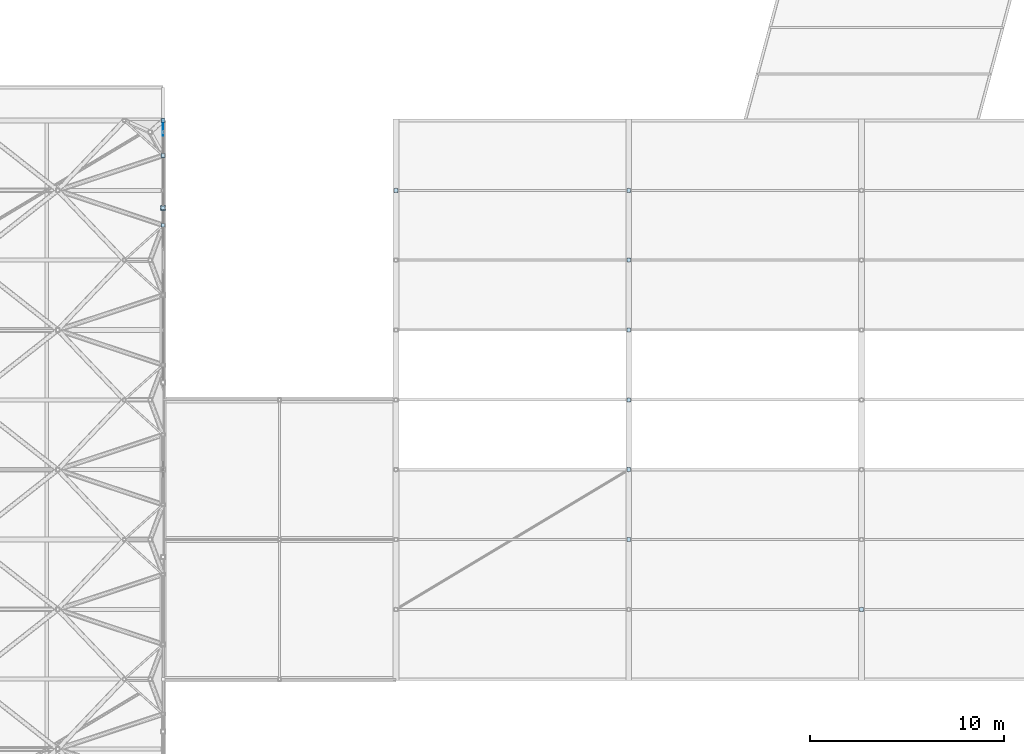
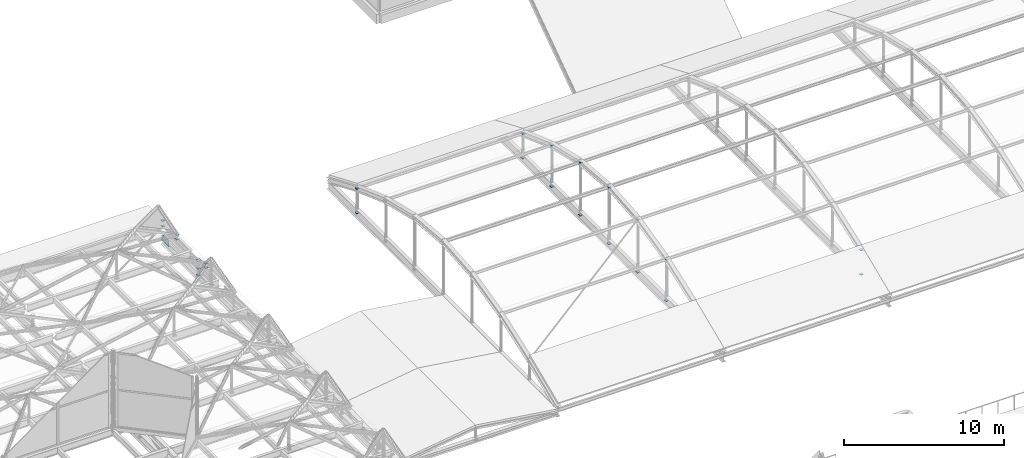
# One storey, part 224 of 239: 27 plates.
"""IFC4 building model written with IfcOpenShell, lengths in metres."""

from ifc_helpers import new_model, si_unit, direction, frame, origin, origin_2d, place, context, subcontext, project, spatial, rectangle, extrude, material, layer, layer_set, type_object, element, save


model = new_model("IFC4")

# Units and contexts
model_context = context("Model", 3, precision=1e-05, world=origin(), true_north=direction((0.0, 1.0)))
body_context = subcontext(model_context, "Body", "Model", "MODEL_VIEW")
ifc_project = project(units=[si_unit("LENGTHUNIT", "METRE"), si_unit("AREAUNIT", "SQUARE_METRE"), si_unit("VOLUMEUNIT", "CUBIC_METRE"), si_unit("PLANEANGLEUNIT", "RADIAN"), si_unit("MASSUNIT", "GRAM", prefix="KILO")], contexts=[model_context])

# Site, building, storey
site_placement = place(None, origin())
site = spatial("IfcSite", under=ifc_project, at=site_placement, CompositionType="ELEMENT")
building_placement = place(site_placement, origin())
building = spatial("IfcBuilding", under=site, at=building_placement, Name="Dunvalen Ferry Terminal", CompositionType="ELEMENT")
storey_placement = place(building_placement, frame((0.0, 0.0, 9.840087890625)))
storey = spatial("IfcBuildingStorey", under=building, at=storey_placement, Name="L02", CompositionType="ELEMENT", Elevation=9.840087890625)

# Plates
ifc_material = material(Name="Steel S355", Category="steel")
ifc_layer_1 = layer(ifc_material, 0.02001953125, Name="Steel S355")
ifc_layer_set_1 = layer_set([ifc_layer_1], Name="Steel S355")
plate_type_1 = type_object("IfcPlateType", Name="STR-PL-GUSSET-01", PredefinedType="USERDEFINED", material=ifc_layer_set_1)
plate_1_placement = place(storey_placement, frame((96.0, 81.89990234375, 0.760009765625), z_axis=(0.0, 0.0, 1.0), x_axis=(1.0, 0.0, 0.0)))
element("IfcPlate", 1, at=plate_1_placement, inside=storey, type_object=plate_type_1, Name="Departure Hall Spandrel Strut Cap Plate 08.7", ObjectType="GUSSET PLATE", PredefinedType="USERDEFINED", context=body_context, shape_type="SweptSolid", body=[
    extrude(rectangle(XDim=0.260009765625, YDim=0.260009765625, at=origin_2d()), origin(), (0.0, 0.0, 1.0), 0.02001953125),
])
plate_2_placement = place(storey_placement, frame((96.0, 86.39990234375, 0.64990234375), z_axis=(0.0, 0.0, 1.0), x_axis=(1.0, 0.0, 0.0)))
element("IfcPlate", 2, at=plate_2_placement, inside=storey, type_object=plate_type_1, Name="Departure Hall Wind Brace End Cap Plate 7.79.2", ObjectType="GUSSET PLATE", PredefinedType="USERDEFINED", context=body_context, shape_type="SweptSolid", body=[
    extrude(rectangle(XDim=0.179931640625, YDim=0.179931640625, at=origin_2d()), origin(), (0.0, 0.0, 1.0), 0.02001953125),
])
for number, where, z_axis, x_axis, name in (
    (3, (96.0, 81.89990234375, -0.3701171875), (0.0, 0.0, 1.0), (1.0, 0.0, 0.0), "L02 Brace-Strut End Cleat Plate 101"),
    (4, (96.0, 86.39990234375, -0.3701171875), (0.0, 0.0, 1.0), (1.0, 0.0, 0.0), "L02 Brace-Strut End Cleat Plate 103"),
    (5, (96.0, 81.0, 1.08984375), (0.0, 0.0, 1.0), (1.0, 0.0, 0.0), "L02 Brace-Strut End Cleat Plate 413"),
    (6, (96.0, 84.60009765625, 1.08984375), (0.0, 0.0, 1.0), (1.0, 0.0, 0.0), "L02 Brace-Strut End Cleat Plate 415"),
    (7, (108.0, 82.800048828125, -0.35009765625), (0.0, 0.0, 1.0), (1.0, 0.0, 0.0), "L02 Brace-Strut End Cleat Plate 439"),
    (8, (120.0, 64.800048828125, -0.35009765625), (0.0, 0.0, 1.0), (1.0, 0.0, 0.0), "L02 Brace-Strut End Cleat Plate 443"),
    (9, (120.0, 68.39990234375, -0.35009765625), (0.0, 0.0, 1.0), (1.0, 0.0, 0.0), "L02 Brace-Strut End Cleat Plate 445"),
    (10, (120.0, 72.0, -0.35009765625), (0.0, 0.0, 1.0), (1.0, 0.0, 0.0), "L02 Brace-Strut End Cleat Plate 447"),
    (11, (120.0, 75.60009765625, -0.35009765625), (0.0, 0.0, 1.0), (1.0, 0.0, 0.0), "L02 Brace-Strut End Cleat Plate 449"),
    (12, (120.0, 79.199951171875, -0.35009765625), (0.0, 0.0, 1.0), (1.0, 0.0, 0.0), "L02 Brace-Strut End Cleat Plate 451"),
    (13, (120.0, 82.800048828125, -0.35009765625), (0.0, 0.0, 1.0), (1.0, 0.0, 0.0), "L02 Brace-Strut End Cleat Plate 453"),
    (14, (132.0, 61.199951171875, -0.35009765625), (0.0, 0.0, 1.0), (1.0, 0.0, 0.0), "L02 Brace-Strut End Cleat Plate 455"),
):
    element("IfcPlate", number, at=place(storey_placement, frame(where, z_axis=z_axis, x_axis=x_axis)), inside=storey, type_object=plate_type_1, Name=name, ObjectType="GUSSET PLATE", PredefinedType="USERDEFINED", context=body_context, shape_type="SweptSolid", body=[
        extrude(rectangle(XDim=0.199951171875, YDim=0.199951171875, at=origin_2d()), origin(), (0.0, 0.0, 1.0), 0.02001953125),
    ])
ifc_layer_2 = layer(ifc_material, 0.02587890625, Name="Steel S355")
ifc_layer_set_2 = layer_set([ifc_layer_2], Name="Steel S355")
plate_type_2 = type_object("IfcPlateType", Name="STR-PL-GUSSET-02", PredefinedType="USERDEFINED", material=ifc_layer_set_2)
for number, where, z_axis, x_axis, name in (
    (15, (96.0, 81.89990234375, 0.15576171875), (0.0, 0.0, 1.0), (1.0, 0.0, 0.0), "L02 Brace-Strut End Cleat Plate 102"),
    (16, (96.0, 81.0, 0.757080078125), (0.0, 0.0, 1.0), (1.0, 0.0, 0.0), "L02 Brace-Strut End Cleat Plate 412"),
    (17, (96.0, 84.60009765625, 0.757080078125), (0.0, 0.0, 1.0), (1.0, 0.0, 0.0), "L02 Brace-Strut End Cleat Plate 414"),
    (18, (96.0, 86.39990234375, 1.0869140625), (0.0, 0.0, 1.0), (1.0, 0.0, 0.0), "L02 Brace-Strut End Cleat Plate 426"),
    (19, (108.0, 82.800048828125, 1.517578125), (0.0, 0.0, 1.0), (1.0, 0.0, 0.0), "L02 Brace-Strut End Cleat Plate 440"),
    (20, (120.0, 64.800048828125, 2.8154296875), (0.0, 0.0, 1.0), (1.0, 0.0, 0.0), "L02 Brace-Strut End Cleat Plate 444"),
    (21, (120.0, 68.39990234375, 3.682373046875), (0.0, 0.0, 1.0), (1.0, 0.0, 0.0), "L02 Brace-Strut End Cleat Plate 446"),
    (22, (120.0, 72.0, 3.987060546875), (0.0, 0.0, 1.0), (1.0, 0.0, 0.0), "L02 Brace-Strut End Cleat Plate 448"),
    (23, (120.0, 75.60009765625, 3.682373046875), (0.0, 0.0, 1.0), (1.0, 0.0, 0.0), "L02 Brace-Strut End Cleat Plate 450"),
    (24, (120.0, 79.199951171875, 2.8154296875), (0.0, 0.0, 1.0), (1.0, 0.0, 0.0), "L02 Brace-Strut End Cleat Plate 452"),
    (25, (120.0, 82.800048828125, 1.517578125), (0.0, 0.0, 1.0), (1.0, 0.0, 0.0), "L02 Brace-Strut End Cleat Plate 454"),
    (26, (132.0, 61.199951171875, 1.517578125), (0.0, 0.0, 1.0), (1.0, 0.0, 0.0), "L02 Brace-Strut End Cleat Plate 456"),
):
    element("IfcPlate", number, at=place(storey_placement, frame(where, z_axis=z_axis, x_axis=x_axis)), inside=storey, type_object=plate_type_2, Name=name, ObjectType="GUSSET PLATE", PredefinedType="USERDEFINED", context=body_context, shape_type="SweptSolid", body=[
        extrude(rectangle(XDim=0.199951171875, YDim=0.199951171875, at=origin_2d()), origin(), (0.0, 0.0, 1.0), 0.02587890625),
    ])
ifc_layer_3 = layer(ifc_material, 0.0380859375, Name="Steel S355")
ifc_layer_set_3 = layer_set([ifc_layer_3], Name="Steel S355")
plate_type_3 = type_object("IfcPlateType", Name="STR-PL-GUSSET-04", PredefinedType="USERDEFINED", material=ifc_layer_set_3)
plate_3_placement = place(storey_placement, frame((96.0, 86.0, -0.46484375), z_axis=(0.0, 0.0, 1.0), x_axis=(1.0, 0.0, 0.0)))
element("IfcPlate", 27, at=plate_3_placement, inside=storey, type_object=plate_type_3, Name="Departure Hall Arch Gusset Plate 08.3", ObjectType="GUSSET PLATE", PredefinedType="USERDEFINED", context=body_context, shape_type="SweptSolid", body=[
    extrude(rectangle(XDim=0.031982421875, YDim=0.75, at=origin_2d()), origin(), (0.0, 0.0, 1.0), 0.449951171875),
])

save(model, "model.ifc")
